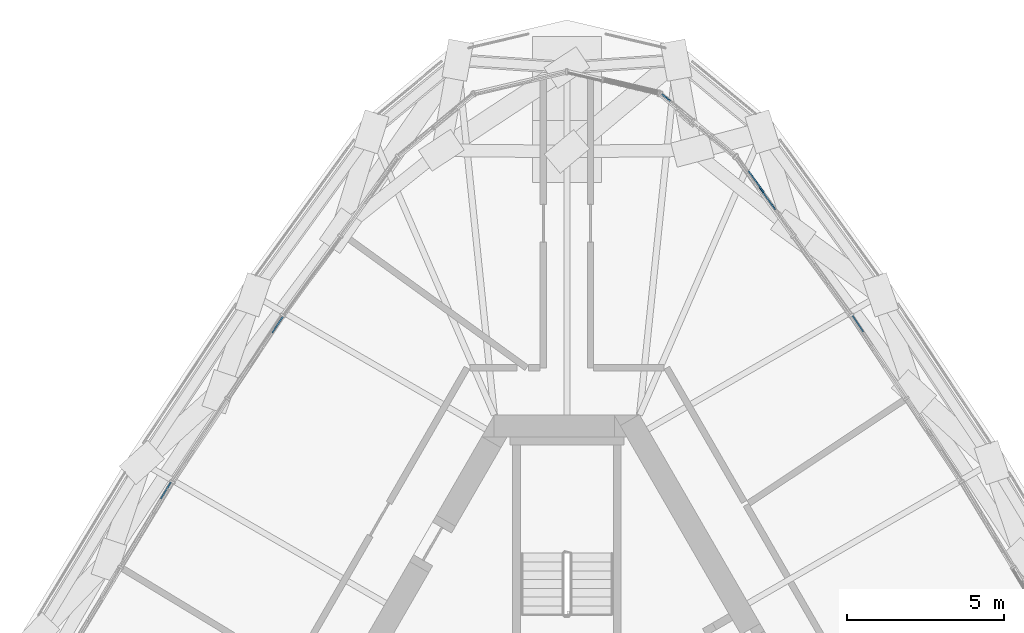
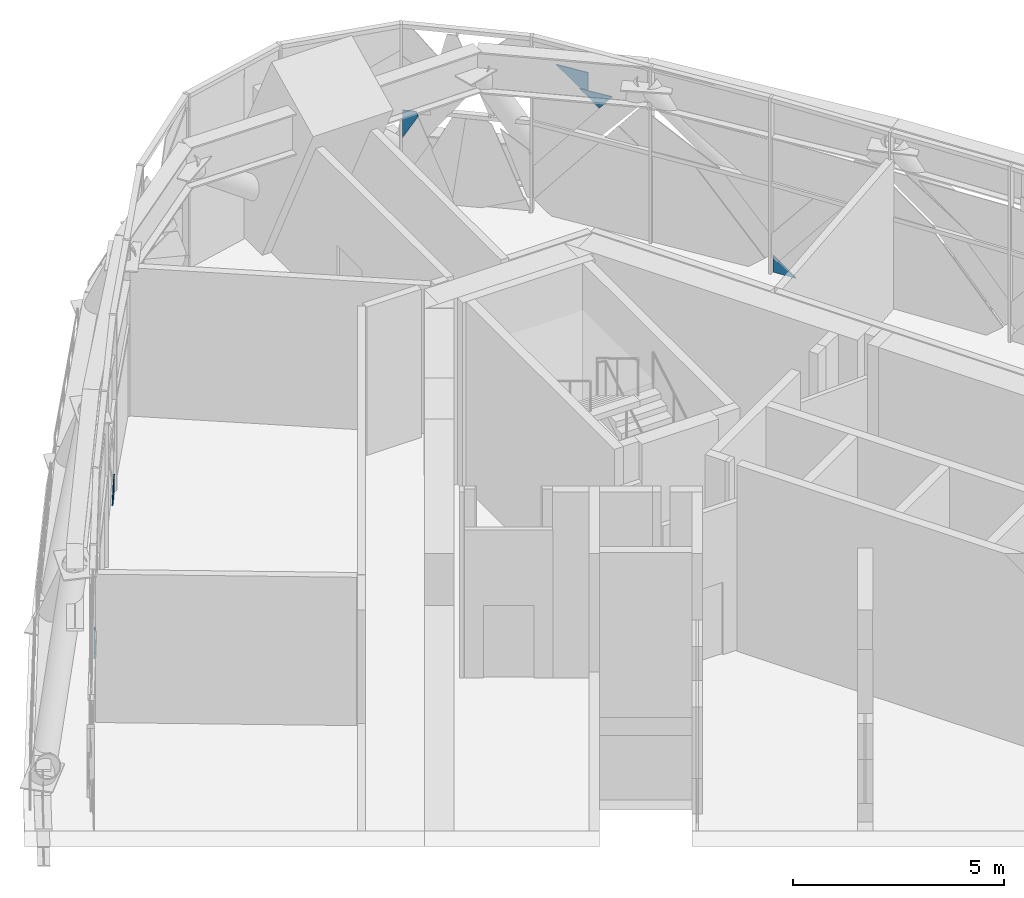
# One storey, part 19 of 33: 6 plates, 3 elements without a shape of their own.
"""IFC4 building model written with IfcOpenShell, lengths in metres."""

from ifc_helpers import new_model, si_unit, direction, frame, origin, place, context, subcontext, project, spatial, polyline, outline, extrude, material, layer, layer_set, type_object, element, aggregate, save


model = new_model("IFC4")

# Units and contexts
model_context = context("Model", 3, precision=1e-05, world=origin(), true_north=direction((0.0, 1.0)))
body_context = subcontext(model_context, "Body", "Model", "MODEL_VIEW")
ifc_project = project(units=[si_unit("LENGTHUNIT", "METRE"), si_unit("AREAUNIT", "SQUARE_METRE"), si_unit("VOLUMEUNIT", "CUBIC_METRE"), si_unit("PLANEANGLEUNIT", "RADIAN"), si_unit("MASSUNIT", "GRAM", prefix="KILO")], contexts=[model_context])

# Site, building, storey
site_placement = place(None, origin())
site = spatial("IfcSite", under=ifc_project, at=site_placement, CompositionType="ELEMENT")
building_placement = place(site_placement, origin())
building = spatial("IfcBuilding", under=site, at=building_placement, Name="Mestral Congress Tower", CompositionType="ELEMENT")
storey_placement = place(building_placement, frame((0.0, 0.0, 256.199951171875)))
storey = spatial("IfcBuildingStorey", under=building, at=storey_placement, Name="L60", CompositionType="ELEMENT", Elevation=256.199951171875)

# Curtain wall, plates
ifc_material = material(Name="Clear low-emissivity double glazing", Category="glass")
curtain_wall_type = type_object("IfcCurtainWallType", Name="Facade refuge band screen", PredefinedType="USERDEFINED", material=ifc_material)
placement = place(storey_placement, origin())
curtain_wall_1 = element("IfcCurtainWall", 1, at=placement, inside=storey, type_object=curtain_wall_type, Name="Facade refuge band screen face 2", ObjectType="CURTAIN WALL", PredefinedType="USERDEFINED")
ifc_layer = layer(ifc_material, 0.028076171875)
ifc_layer_set = layer_set([ifc_layer], Name="Clear low-emissivity double glazing")
plate_type = type_object("IfcPlateType", Name="Facade refuge band screen panel", PredefinedType="CURTAIN_PANEL", material=ifc_layer_set)
plate_1_placement = place(storey_placement, frame((9.08740234375, 19.86865234375, 0.0), z_axis=(0.833217494587, 0.552942508421, 0.001785803616), x_axis=(0.552943390116, -0.833218823195, 0.0)))
plate_1 = element("IfcPlate", 2, at=plate_1_placement, type_object=plate_type, Name="Refuge screen glass unit", PredefinedType="CURTAIN_PANEL", context=body_context, shape_type="SweptSolid", body=[
    extrude(outline(polyline([(0.0, 0.0), (0.609751756059496, 0.0), (1.8572939552501297e-06, -0.49292070786099934), (0.0, 0.0)])), origin(), (0.0, 0.0, -1.0), 0.028076171875),
])
plate_2_placement = place(storey_placement, frame((6.128662109375, 23.93798828125, 3.887939453125), z_axis=(0.809496858526, 0.587120127429, 0.002189064499), x_axis=(0.460382789057, -0.632433997636, -0.622956600554)))
plate_2 = element("IfcPlate", 3, at=plate_2_placement, type_object=plate_type, Name="Refuge screen glass unit", PredefinedType="CURTAIN_PANEL", context=body_context, shape_type="SweptSolid", body=[
    extrude(outline(polyline([(0.0, 0.0), (0.6697678903380992, -5.551115123125783e-17), (0.670732218339043, -0.5341454530664177), (0.0, 0.0)])), origin(), (0.0, 0.0, -1.0), 0.028076171875),
])
plate_3_placement = place(storey_placement, frame((5.78369140625, 24.46337890625, 4.387939453125), z_axis=(0.809650734162, 0.586908392449, 0.00205609909), x_axis=(0.460119721558, -0.632560855924, -0.623022154812)))
plate_3 = element("IfcPlate", 4, at=plate_3_placement, type_object=plate_type, Name="Refuge screen glass unit", PredefinedType="CURTAIN_PANEL", context=body_context, shape_type="SweptSolid", body=[
    extrude(outline(polyline([(0.0, 0.0), (0.8025401687591309, 5.551115123125783e-17), (0.962135472231729, -0.1271177781145878), (0.6505962606820194, -0.5181984251489768), (0.0, 0.0)])), origin(), (0.0, 0.0, -1.0), 0.028076171875),
])
aggregate(curtain_wall_1, [plate_1, plate_2, plate_3])

curtain_wall_2 = element("IfcCurtainWall", 5, at=placement, inside=storey, type_object=curtain_wall_type, Name="Facade refuge band screen face 3", ObjectType="CURTAIN WALL", PredefinedType="USERDEFINED")
plate_4_placement = place(storey_placement, frame((-9.037353515625, 19.83544921875, 0.0), z_axis=(-0.833217494587, 0.552942508421, 0.001785803616), x_axis=(0.001485881732, -0.000990587821, 0.999998405444)))
plate_4 = element("IfcPlate", 6, at=plate_4_placement, type_object=plate_type, Name="Refuge screen glass unit", PredefinedType="CURTAIN_PANEL", context=body_context, shape_type="SweptSolid", body=[
    extrude(outline(polyline([(0.0, 0.0), (0.49292070786449843, -5.463362509790237e-20), (2.2975059328278133e-06, -0.6097517560551675), (0.0, 0.0)])), origin(), (0.0, 0.0, -1.0), 0.028076171875),
])
plate_5_placement = place(storey_placement, frame((-12.599609375, 14.57373046875, 0.0), z_axis=(-0.855622854045, 0.517594095048, 0.002425779474), x_axis=(0.001950262367, -0.001462696775, 0.999997028493)))
plate_5 = element("IfcPlate", 7, at=plate_5_placement, type_object=plate_type, Name="Refuge screen glass unit", PredefinedType="CURTAIN_PANEL", context=body_context, shape_type="SweptSolid", body=[
    extrude(outline(polyline([(0.0, 0.0), (0.5007339098093142, 4.0657581468206416e-20), (0.00014843610664038473, -0.6131868049326292), (0.0, 0.0)])), origin(), (0.0, 0.0, -1.0), 0.028076171875),
])
aggregate(curtain_wall_2, [plate_4, plate_5])

# Curtain wall, plate
curtain_wall_3 = element("IfcCurtainWall", 8, at=placement, inside=storey, type_object=curtain_wall_type, Name="Facade refuge band screen corner 2", ObjectType="CURTAIN WALL", PredefinedType="USERDEFINED")
plate_6_placement = place(storey_placement, frame((3.29052734375, 26.693603515625, 2.406005859375), z_axis=(0.63807791723, 0.769969124664, 0.002029435127), x_axis=(-0.270991751679, 0.22210380016, 0.936607373704)))
plate_6 = element("IfcPlate", 9, at=plate_6_placement, type_object=plate_type, Name="Refuge screen glass unit", PredefinedType="CURTAIN_PANEL", context=body_context, shape_type="SweptSolid", body=[
    extrude(outline(polyline([(0.0, 0.0), (0.14310513444852976, 0.0), (0.258773589779662, -0.30920044894079046), (-0.4900942317256314, -0.5893727071458355), (0.0, 0.0)])), origin(), (0.0, 0.0, -1.0), 0.028076171875),
])
aggregate(curtain_wall_3, [plate_6])

save(model, "model.ifc")
